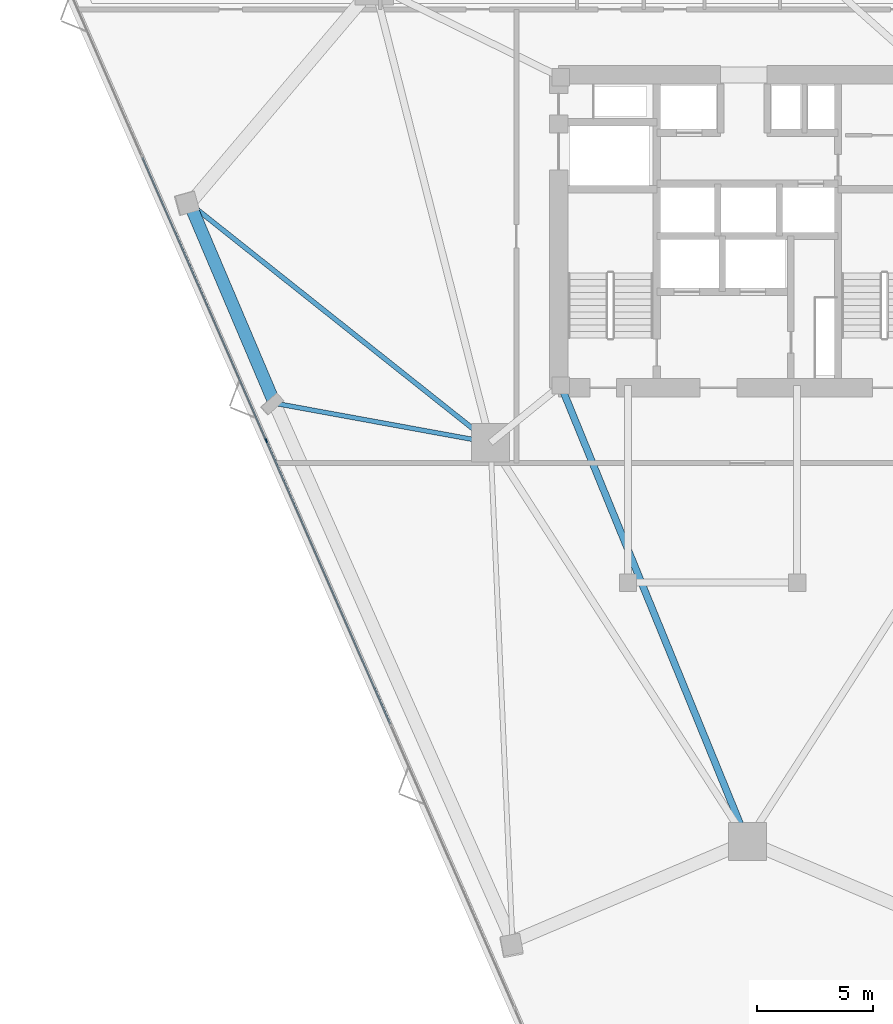
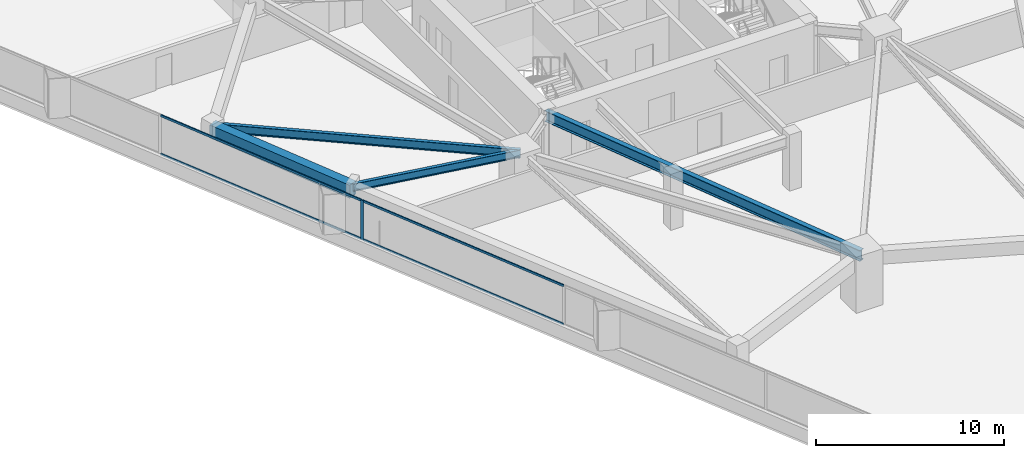
# One storey, part 5 of 20: 5 members, 4 beams, 1 element without a shape of its own.
"""IFC4 building model written with IfcOpenShell, lengths in metres."""

from ifc_helpers import new_model, si_unit, direction, frame, origin, origin_2d, place, context, subcontext, project, spatial, rectangle, i_section, extrude, material, layer, layer_set, material_profile, profile_set, type_object, element, aggregate, save


model = new_model("IFC4")

# Units and contexts
model_context = context("Model", 3, precision=1e-05, world=origin(), true_north=direction((0.0, 1.0)))
body_context = subcontext(model_context, "Body", "Model", "MODEL_VIEW")
ifc_project = project(units=[si_unit("LENGTHUNIT", "METRE"), si_unit("AREAUNIT", "SQUARE_METRE"), si_unit("VOLUMEUNIT", "CUBIC_METRE"), si_unit("PLANEANGLEUNIT", "RADIAN"), si_unit("MASSUNIT", "GRAM", prefix="KILO")], contexts=[model_context])

# Site, building, storey
site_placement = place(None, origin())
site = spatial("IfcSite", under=ifc_project, at=site_placement, CompositionType="ELEMENT")
building_placement = place(site_placement, origin())
building = spatial("IfcBuilding", under=site, at=building_placement, Name="Talyreon Biosciences Tower", CompositionType="ELEMENT")
storey_placement = place(building_placement, frame((0.0, 0.0, 78.64990234375)))
storey = spatial("IfcBuildingStorey", under=building, at=storey_placement, Name="L20", CompositionType="ELEMENT", Elevation=78.64990234375)

# Curtain wall, members
ifc_material_1 = material(Name="Thermally broken aluminium and low-E glazing", Category="aluminium")
ifc_layer = layer(ifc_material_1, 0.18994140625)
ifc_layer_set = layer_set([ifc_layer], Name="Thermally broken aluminium and low-E glazing")
curtain_wall_type = type_object("IfcCurtainWallType", Name="CurtainWall_Zone2Genomics", PredefinedType="NOTDEFINED", material=ifc_layer_set)
curtain_wall_placement = place(storey_placement, origin())
curtain_wall = element("IfcCurtainWall", 1, at=curtain_wall_placement, inside=storey, type_object=curtain_wall_type, Name="L20 Unitised Curtain Wall FCW-L20-00", PredefinedType="NOTDEFINED")
ifc_material_2 = material(Name="Anodised thermally broken aluminium", Category="aluminium")
ifc_material_profile_1 = material_profile(ifc_material_2, rectangle(XDim=0.06494140625, YDim=0.179931640625, at=origin_2d()), Name="ALUM MULLION 65x180")
ifc_profile_set_1 = profile_set([ifc_material_profile_1], Name="Anodised thermally broken aluminium")
member_type_1 = type_object("IfcMemberType", Name="CWMullion_65x180", PredefinedType="MULLION", material=ifc_profile_set_1)
member_1_placement = place(storey_placement, frame((45.23828125, 58.970703125, 0.81005859375), z_axis=(0.0, 0.0, 1.0), x_axis=(-0.916213942072, -0.400689421314, 0.0)))
member_1 = element("IfcMember", 2, at=member_1_placement, type_object=member_type_1, Name="CW3 mullion 4", PredefinedType="MULLION", context=body_context, shape_type="SweptSolid", body=[
    extrude(rectangle(XDim=0.06494140625, YDim=0.179931640625, at=origin_2d()), origin(), (0.0, 0.0, 1.0), 2.56494140625),
])
ifc_material_profile_2 = material_profile(ifc_material_2, rectangle(XDim=0.06494140625, YDim=0.139892578125, at=origin_2d()), Name="ALUM TRANSOM 65x140")
ifc_profile_set_2 = profile_set([ifc_material_profile_2], Name="Anodised thermally broken aluminium")
member_type_2 = type_object("IfcMemberType", Name="CWTransom_65x140", PredefinedType="USERDEFINED", material=ifc_profile_set_2)
member_2_placement = place(storey_placement, frame((50.58203125, 46.751220703125, 0.842529296875), z_axis=(-0.400681171348, 0.91621755, 0.0), x_axis=(-0.91621755, -0.400681171348, 0.0)))
member_2 = element("IfcMember", 3, at=member_2_placement, type_object=member_type_2, Name="CW3 transom 3.1", ObjectType="TRANSOM", PredefinedType="USERDEFINED", context=body_context, shape_type="SweptSolid", body=[
    extrude(rectangle(XDim=0.06494140625, YDim=0.139892578125, at=origin_2d()), origin(), (0.0, 0.0, 1.0), 13.304443359375),
])
member_3_placement = place(storey_placement, frame((50.58203125, 46.751220703125, 3.342529296875), z_axis=(-0.400681171348, 0.91621755, 0.0), x_axis=(-0.91621755, -0.400681171348, 0.0)))
member_3 = element("IfcMember", 4, at=member_3_placement, type_object=member_type_2, Name="CW3 transom 3.2", ObjectType="TRANSOM", PredefinedType="USERDEFINED", context=body_context, shape_type="SweptSolid", body=[
    extrude(rectangle(XDim=0.06494140625, YDim=0.139892578125, at=origin_2d()), origin(), (0.0, 0.0, 1.0), 13.304443359375),
])
member_4_placement = place(storey_placement, frame((45.22509765625, 59.00048828125, 0.842529296875), z_axis=(-0.40068790809, 0.916214603852, 0.0), x_axis=(-0.916214603852, -0.40068790809, 0.0)))
member_4 = element("IfcMember", 5, at=member_4_placement, type_object=member_type_2, Name="CW3 transom 4.1", ObjectType="TRANSOM", PredefinedType="USERDEFINED", context=body_context, shape_type="SweptSolid", body=[
    extrude(rectangle(XDim=0.06494140625, YDim=0.139892578125, at=origin_2d()), origin(), (0.0, 0.0, 1.0), 13.30419921875),
])
member_5_placement = place(storey_placement, frame((45.22509765625, 59.00048828125, 3.342529296875), z_axis=(-0.40068790809, 0.916214603852, 0.0), x_axis=(-0.916214603852, -0.40068790809, 0.0)))
member_5 = element("IfcMember", 6, at=member_5_placement, type_object=member_type_2, Name="CW3 transom 4.2", ObjectType="TRANSOM", PredefinedType="USERDEFINED", context=body_context, shape_type="SweptSolid", body=[
    extrude(rectangle(XDim=0.06494140625, YDim=0.139892578125, at=origin_2d()), origin(), (0.0, 0.0, 1.0), 13.30419921875),
])
aggregate(curtain_wall, [member_1, member_2, member_3, member_4, member_5])

# Beams
ifc_material_3 = material(Name="Precast concrete C45/55", Category="concrete")
ifc_material_profile_3 = material_profile(ifc_material_3, rectangle(XDim=0.550048828125, YDim=0.85009765625, at=origin_2d()), Name="RCB 550x850")
ifc_profile_set_3 = profile_set([ifc_material_profile_3], Name="Precast concrete C45/55")
beam_type_1 = type_object("IfcBeamType", Name="ExpressedSpandrel_550x850", PredefinedType="SPANDREL", material=ifc_profile_set_3)
beam_1_placement = place(storey_placement, frame((41.93310546875, 69.198486328125, 2.9501953125), z_axis=(0.390872720901, -0.920444738187, 0.0), x_axis=(0.920444738187, 0.390872720901, 0.0)))
element("IfcBeam", 7, at=beam_1_placement, inside=storey, type_object=beam_type_1, Name="L20 Expressed Horizontal Concrete Spandrel 10", PredefinedType="SPANDREL", context=body_context, shape_type="SweptSolid", body=[
    extrude(rectangle(XDim=0.550048828125, YDim=0.85009765625, at=origin_2d()), origin(), (0.0, 0.0, 1.0), 9.359130859375),
])
ifc_material_4 = material(Name="Steel SM355", Category="steel")
ifc_material_profile_4 = material_profile(ifc_material_4, i_section(OverallWidth=0.300048828125, OverallDepth=0.699951171875, WebThickness=0.01708984375, FlangeThickness=0.031982421875, FilletRadius=0.027099609375, at=origin_2d()), Name="HE700B")
ifc_profile_set_4 = profile_set([ifc_material_profile_4], Name="Steel SM355")
beam_type_2 = type_object("IfcBeamType", Name="SteelGirder_HE700B", PredefinedType="BEAM", material=ifc_profile_set_4)
beam_2_placement = place(storey_placement, frame((57.949951171875, 61.35009765625, 3.025146484375), z_axis=(0.378547014545, -0.925582064314, 0.0), x_axis=(0.925582064314, 0.378547014545, 0.0)))
element("IfcBeam", 8, at=beam_2_placement, inside=storey, type_object=beam_type_2, Name="L20 Radial Primary Girder 1", PredefinedType="BEAM", context=body_context, shape_type="SweptSolid", body=[
    extrude(i_section(OverallWidth=0.300048828125, OverallDepth=0.699951171875, WebThickness=0.01708984375, FlangeThickness=0.031982421875, FilletRadius=0.027099609375, at=origin_2d()), origin(), (0.0, 0.0, 1.0), 21.265625),
])
ifc_material_profile_5 = material_profile(ifc_material_4, i_section(OverallWidth=0.199951171875, OverallDepth=0.5, WebThickness=0.01025390625, FlangeThickness=0.01611328125, FilletRadius=0.02099609375, at=origin_2d()), Name="IPE500")
ifc_profile_set_5 = profile_set([ifc_material_profile_5], Name="Steel SM355")
beam_type_3 = type_object("IfcBeamType", Name="SteelJoist_IPE500", PredefinedType="JOIST", material=ifc_profile_set_5)
beam_3_placement = place(storey_placement, frame((54.913818359375, 58.88037109375, 3.125), z_axis=(-0.983709588421, 0.179764973366, 0.0), x_axis=(-0.179764973366, -0.983709588421, 0.0)))
element("IfcBeam", 9, at=beam_3_placement, inside=storey, type_object=beam_type_3, Name="L20 Radial Composite Floor Joist PL-SW", PredefinedType="JOIST", context=body_context, shape_type="SweptSolid", body=[
    extrude(i_section(OverallWidth=0.199951171875, OverallDepth=0.5, WebThickness=0.01025390625, FlangeThickness=0.01611328125, FilletRadius=0.02099609375, at=origin_2d()), origin(), (0.0, 0.0, 1.0), 9.476806640625),
])
ifc_material_profile_6 = material_profile(ifc_material_4, i_section(OverallWidth=0.2099609375, OverallDepth=0.550048828125, WebThickness=0.010986328125, FlangeThickness=0.01708984375, FilletRadius=0.02392578125, at=origin_2d()), Name="IPE550")
ifc_profile_set_6 = profile_set([ifc_material_profile_6], Name="Steel SM355")
beam_type_4 = type_object("IfcBeamType", Name="SteelJoist_IPE550", PredefinedType="JOIST", material=ifc_profile_set_6)
beam_4_placement = place(storey_placement, frame((54.913818359375, 58.88037109375, 3.10009765625), z_axis=(-0.782819944685, 0.622248289835, 0.0), x_axis=(-0.622248289835, -0.782819944685, 0.0)))
element("IfcBeam", 10, at=beam_4_placement, inside=storey, type_object=beam_type_4, Name="L20 Radial Composite Floor Joist PC-SW1", PredefinedType="JOIST", context=body_context, shape_type="SweptSolid", body=[
    extrude(i_section(OverallWidth=0.2099609375, OverallDepth=0.550048828125, WebThickness=0.010986328125, FlangeThickness=0.01708984375, FilletRadius=0.02392578125, at=origin_2d()), origin(), (0.0, 0.0, 1.0), 16.58203125),
])

save(model, "model.ifc")
